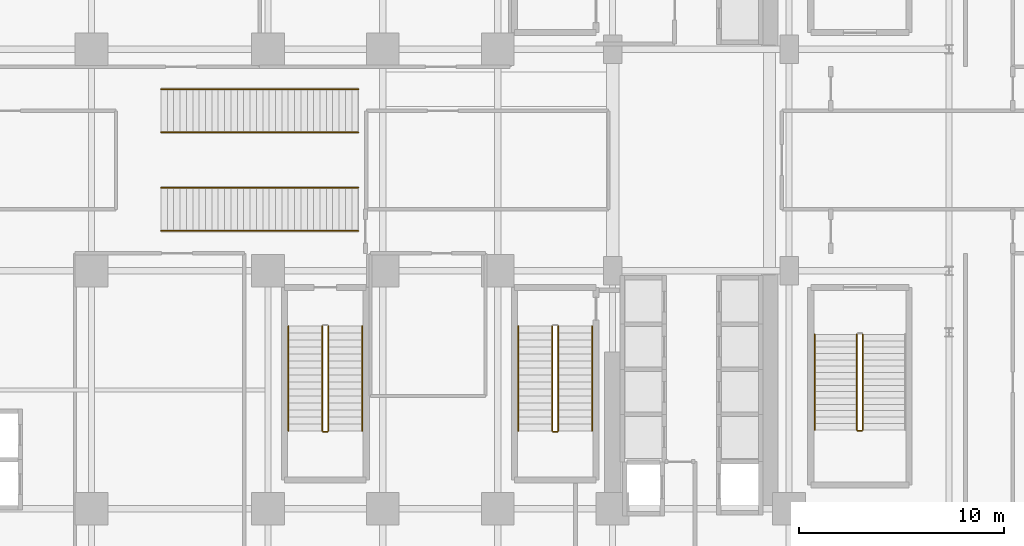
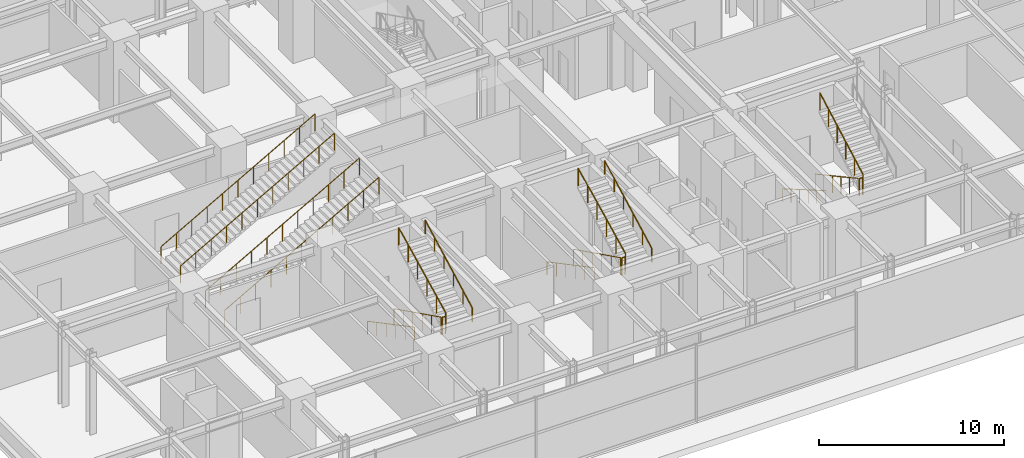
# One storey, part 27 of 29: 18 railings.
"""IFC4 building model written with IfcOpenShell, lengths in metres."""

import ifcopenshell
import ifcopenshell.guid

model = None  # the IFC model being written
_history = None  # IfcOwnerHistory: only IFC2X3 demands one
_inside = {}  # id of a spatial element -> (the spatial element, [elements in it])
_under = {}  # id of a project, library or spatial element -> (it, [spatial elements below it])
_declared = {}  # id of a project -> (the project, [libraries it declares])
_typed = {}  # id of a type object -> (the type object, [elements of that type])
_made_of = {}  # id of a material, layer set ... -> (it, [elements and type objects made of it])


def new_model(schema):
    """Start an empty IFC model of exactly this schema.

    Asked for "IFC4X3", IfcOpenShell would pick the latest addendum, in which some entities
    have other attributes; the version numbers below select the first issue.
    IFC2X3 requires an IfcOwnerHistory on every rooted entity: one is made here for all.
    """
    global model, _history
    if schema == "IFC4X3":
        model = ifcopenshell.file(schema_version=(4, 3, 0, 0))
    else:
        model = ifcopenshell.file(schema=schema)
    _inside.clear()
    _under.clear()
    _declared.clear()
    _typed.clear()
    _made_of.clear()
    _history = None
    if model.schema == "IFC2X3":
        org = make("IfcOrganization", Name="unknown")
        user = make(
            "IfcPersonAndOrganization",
            ThePerson=make("IfcPerson", FamilyName="unknown"),
            TheOrganization=org,
        )
        app = make(
            "IfcApplication",
            ApplicationDeveloper=org,
            Version="unknown",
            ApplicationFullName="unknown",
            ApplicationIdentifier="unknown",
        )
        _history = make(
            "IfcOwnerHistory",
            OwningUser=user,
            OwningApplication=app,
            ChangeAction="ADDED",
            CreationDate=0,
        )
    return model


def make(cls, **values):
    """One entity of the class cls with the attributes given. An attribute that is None is left unset."""
    return model.create_entity(
        cls, **{name: value for name, value in values.items() if value is not None}
    )


def rooted(cls, **values):
    """An entity with a GlobalId (a new one), such as an element, a storey or a relation."""
    return make(cls, GlobalId=ifcopenshell.guid.new(), OwnerHistory=_history, **values)


def si_unit(unit_type, name, prefix=None):
    """IfcSIUnit, for example si_unit("LENGTHUNIT", "METRE", prefix="MILLI")."""
    return make("IfcSIUnit", UnitType=unit_type, Prefix=prefix, Name=name)


def assignment(units):
    """IfcUnitAssignment: the units of a project."""
    return None if units is None else make("IfcUnitAssignment", Units=units)


def point(xyz):
    """IfcCartesianPoint."""
    return None if xyz is None else make("IfcCartesianPoint", Coordinates=xyz)


def direction(xyz):
    """IfcDirection."""
    return None if xyz is None else make("IfcDirection", DirectionRatios=xyz)


def frame(location, z_axis=None, x_axis=None):
    """IfcAxis2Placement3D, a coordinate frame: its origin and axes. An axis left out is left unset."""
    return make(
        "IfcAxis2Placement3D",
        Location=point(location),
        Axis=direction(z_axis),
        RefDirection=direction(x_axis),
    )


def frame_2d(location, x_axis=None):
    """IfcAxis2Placement2D, a coordinate frame in the plane: its origin and x axis."""
    return make(
        "IfcAxis2Placement2D", Location=point(location), RefDirection=direction(x_axis)
    )


def origin():
    """The frame at (0, 0, 0) with its axes left unset."""
    return frame((0.0, 0.0, 0.0))


def origin_2d():
    """The frame at (0, 0) in the plane with its x axis left unset."""
    return frame_2d((0.0, 0.0))


def place(relative_to, where):
    """IfcLocalPlacement: puts the frame where relative to a parent placement (None: the world)."""
    return make(
        "IfcLocalPlacement", PlacementRelTo=relative_to, RelativePlacement=where
    )


def context(
    kind, dimensions, precision=None, world=None, true_north=None, identifier=None
):
    """IfcGeometricRepresentationContext, for example the 3D "Model" context."""
    return make(
        "IfcGeometricRepresentationContext",
        ContextIdentifier=identifier,
        ContextType=kind,
        CoordinateSpaceDimension=dimensions,
        Precision=precision,
        WorldCoordinateSystem=world,
        TrueNorth=true_north,
    )


def subcontext(parent, identifier, kind, view, scale=None):
    """IfcGeometricRepresentationSubContext, for example "Body" below "Model"."""
    return make(
        "IfcGeometricRepresentationSubContext",
        ContextIdentifier=identifier,
        ContextType=kind,
        ParentContext=parent,
        TargetScale=scale,
        TargetView=view,
    )


def project(units=None, contexts=None):
    """IfcProject with its units and contexts."""
    return rooted(
        "IfcProject",
        Name="project",
        RepresentationContexts=contexts,
        UnitsInContext=assignment(units),
    )


def spatial(cls, under=None, at=None, **own):
    """A site, building, storey or space (cls), placed at a placement, below another one or the project."""
    s = rooted(cls, ObjectPlacement=at, **own)
    if under is not None:
        _under.setdefault(under.id(), (under, []))[1].append(s)
    return s


def profile(cls, at=None, kind="AREA", **sizes):
    """A parametric profile (cls). Its sizes go by their IFC names, for example OverallWidth=200.0."""
    return make(cls, ProfileType=kind, Position=at, **sizes)


def circle(**sizes):
    """IfcCircleProfileDef."""
    return profile("IfcCircleProfileDef", **sizes)


def extrude(swept, where, along, depth):
    """IfcExtrudedAreaSolid: the profile swept, set in the frame where, extruded along a direction by depth."""
    return make(
        "IfcExtrudedAreaSolid",
        SweptArea=swept,
        Position=where,
        ExtrudedDirection=direction(along),
        Depth=depth,
    )


def shape(context_of_items, identifier, shape_type, items):
    """IfcShapeRepresentation: the items that make up one representation, for example the "Body"."""
    return make(
        "IfcShapeRepresentation",
        ContextOfItems=context_of_items,
        RepresentationIdentifier=identifier,
        RepresentationType=shape_type,
        Items=items,
    )


def material(Name=None, Category=None):
    """IfcMaterial."""
    return make("IfcMaterial", Name=Name, Category=Category)


def made_of(thing, what):
    """Note that an element or type object is made of a material, layer set ...; save() writes the relation."""
    if what is not None:
        _made_of.setdefault(what.id(), (what, []))[1].append(thing)
    return thing


def type_object(cls, material=None, **own):
    """A type object (cls), such as IfcWallType, which elements share."""
    return made_of(rooted(cls, **own), material)


def element(
    cls,
    number,
    at=None,
    inside=None,
    cuts=None,
    type_object=None,
    material=None,
    context=None,
    identifier="Body",
    shape_type=None,
    held_by="IfcProductDefinitionShape",
    body=None,
    shapes=None,
    **own,
):
    """One element of the class cls, such as IfcWall. Its Tag is "e" and its number.

    at: its placement. inside: the storey or other place that contains it. cuts: it is an
    opening in that element (IfcRelVoidsElement). A single representation is given by context,
    identifier, shape_type and body (its items); several are given by shapes. held_by: the class
    of the entity that holds the representations. save() writes the other relations.
    """
    e = rooted(cls, Tag="e%d" % number, ObjectPlacement=at, **own)
    if body is not None:
        shapes = [shape(context, identifier, shape_type, body)]
    if shapes is not None:
        e.Representation = make(held_by, Representations=shapes)
    if inside is not None:
        _inside.setdefault(inside.id(), (inside, []))[1].append(e)
    if cuts is not None:
        rooted(
            "IfcRelVoidsElement", RelatingBuildingElement=cuts, RelatedOpeningElement=e
        )
    if type_object is not None:
        _typed.setdefault(type_object.id(), (type_object, []))[1].append(e)
    return made_of(e, material)


def aggregate(whole, parts):
    """IfcRelAggregates: a whole, such as a stair, and the parts it consists of."""
    return rooted("IfcRelAggregates", RelatingObject=whole, RelatedObjects=parts)


def save(model, path):
    """Write the relations noted so far, then the file.

    IfcRelAggregates (storeys below a building ...), IfcRelContainedInSpatialStructure (elements
    in a storey), IfcRelDefinesByType, IfcRelAssociatesMaterial and IfcRelDeclares: one each for
    every whole, place, type object, material and project.
    """
    for whole, parts in _under.values():
        aggregate(whole, parts)
    for where, things in _inside.values():
        rooted(
            "IfcRelContainedInSpatialStructure",
            RelatedElements=things,
            RelatingStructure=where,
        )
    for kind, things in _typed.values():
        rooted("IfcRelDefinesByType", RelatedObjects=things, RelatingType=kind)
    for what, things in _made_of.values():
        rooted("IfcRelAssociatesMaterial", RelatedObjects=things, RelatingMaterial=what)
    for by, libraries in _declared.values():
        rooted("IfcRelDeclares", RelatingContext=by, RelatedDefinitions=libraries)
    model.write(path)


model = new_model("IFC4")

# Units and contexts
model_context = context("Model", 3, precision=1e-05, world=origin(), true_north=direction((0.0, 1.0)))
body_context = subcontext(model_context, "Body", "Model", "MODEL_VIEW")
ifc_project = project(units=[si_unit("LENGTHUNIT", "METRE"), si_unit("AREAUNIT", "SQUARE_METRE"), si_unit("VOLUMEUNIT", "CUBIC_METRE"), si_unit("PLANEANGLEUNIT", "RADIAN"), si_unit("MASSUNIT", "GRAM", prefix="KILO")], contexts=[model_context])

# Site, building, storey
site_placement = place(None, origin())
site = spatial("IfcSite", under=ifc_project, at=site_placement, CompositionType="ELEMENT")
building_placement = place(site_placement, origin())
building = spatial("IfcBuilding", under=site, at=building_placement, Name="Nahalor Promenade Grand Hotel", CompositionType="ELEMENT")
storey_placement = place(building_placement, origin())
storey = spatial("IfcBuildingStorey", under=building, at=storey_placement, Name="L00", CompositionType="ELEMENT", Elevation=0.0)

# Railings
ifc_material = material(Name="Steel S355JR", Category="steel")
railing_type_1 = type_object("IfcRailingType", Name="Steel Stair Guardrail 1150 mm", PredefinedType="GUARDRAIL", material=ifc_material)
railing_1_placement = place(storey_placement, frame((5.449951171875, -8.10009765625, 0.168701171875)))
element("IfcRailing", 1, at=railing_1_placement, inside=storey, type_object=railing_type_1, Name="L00 ST2 stair guard 1", PredefinedType="GUARDRAIL", context=body_context, shape_type="SweptSolid", body=[
    extrude(circle(Radius=0.024048, at=origin_2d()), frame((0.0, 0.0, 1.1259765625), z_axis=(0.0, -0.895735491292, 0.444587370086), x_axis=(1.0, 0.0, 0.0)), (0.0, 0.0, 1.0), 5.693603515625),
    extrude(circle(Radius=0.020996, at=origin_2d()), origin(), (0.0, 0.0, 1.0), 1.099853515625),
    extrude(circle(Radius=0.020996, at=origin_2d()), frame((0.0, -1.02001953125, 0.50634765625)), (0.0, 0.0, 1.0), 1.099853515625),
    extrude(circle(Radius=0.020996, at=origin_2d()), frame((0.0, -2.0400390625, 1.012451171875)), (0.0, 0.0, 1.0), 1.099853515625),
    extrude(circle(Radius=0.020996, at=origin_2d()), frame((0.0, -3.059814453125, 1.518798828125)), (0.0, 0.0, 1.0), 1.099853515625),
    extrude(circle(Radius=0.020996, at=origin_2d()), frame((0.0, -4.079833984375, 2.02490234375)), (0.0, 0.0, 1.0), 1.099853515625),
    extrude(circle(Radius=0.020996, at=origin_2d()), frame((0.0, -5.099853515625, 2.53125)), (0.0, 0.0, 1.0), 1.099853515625),
])
railing_2_placement = place(storey_placement, frame((5.5, -13.25, 2.699951171875)))
element("IfcRailing", 2, at=railing_2_placement, inside=storey, type_object=railing_type_1, Name="L00 ST2 stair guard 2", PredefinedType="GUARDRAIL", context=body_context, shape_type="SweptSolid", body=[
    extrude(circle(Radius=0.024048, at=origin_2d()), frame((0.0, 0.0, 1.1259765625), z_axis=(1.0, 0.0, 0.0), x_axis=(0.0, 1.0, 0.0)), (0.0, 0.0, 1.0), 0.199951171875),
    extrude(circle(Radius=0.020996, at=origin_2d()), origin(), (0.0, 0.0, 1.0), 1.099853515625),
    extrude(circle(Radius=0.020996, at=origin_2d()), frame((0.199951171875, 0.0, 0.0)), (0.0, 0.0, 1.0), 1.099853515625),
])
railing_3_placement = place(storey_placement, frame((5.75, -13.199951171875, 2.86865234375)))
element("IfcRailing", 3, at=railing_3_placement, inside=storey, type_object=railing_type_1, Name="L00 ST2 stair guard 3", PredefinedType="GUARDRAIL", context=body_context, shape_type="SweptSolid", body=[
    extrude(circle(Radius=0.024048, at=origin_2d()), frame((0.0, 0.0, 1.1259765625), z_axis=(0.0, 0.895735491292, 0.444587370086), x_axis=(-1.0, 0.0, 0.0)), (0.0, 0.0, 1.0), 5.693603515625),
    extrude(circle(Radius=0.020996, at=origin_2d()), origin(), (0.0, 0.0, 1.0), 1.099853515625),
    extrude(circle(Radius=0.020996, at=origin_2d()), frame((0.0, 1.02001953125, 0.50634765625)), (0.0, 0.0, 1.0), 1.099853515625),
    extrude(circle(Radius=0.020996, at=origin_2d()), frame((0.0, 2.0400390625, 1.012451171875)), (0.0, 0.0, 1.0), 1.099853515625),
    extrude(circle(Radius=0.020996, at=origin_2d()), frame((0.0, 3.059814453125, 1.518798828125)), (0.0, 0.0, 1.0), 1.099853515625),
    extrude(circle(Radius=0.020996, at=origin_2d()), frame((0.0, 4.079833984375, 2.02490234375)), (0.0, 0.0, 1.0), 1.099853515625),
    extrude(circle(Radius=0.020996, at=origin_2d()), frame((0.0, 5.099853515625, 2.53125)), (0.0, 0.0, 1.0), 1.099853515625),
])
railing_4_placement = place(storey_placement, frame((-5.75, -8.10009765625, 0.168701171875)))
element("IfcRailing", 4, at=railing_4_placement, inside=storey, type_object=railing_type_1, Name="L00 ST3 stair guard 1", PredefinedType="GUARDRAIL", context=body_context, shape_type="SweptSolid", body=[
    extrude(circle(Radius=0.024048, at=origin_2d()), frame((0.0, 0.0, 1.1259765625), z_axis=(0.0, -0.895735491292, 0.444587370086), x_axis=(1.0, 0.0, 0.0)), (0.0, 0.0, 1.0), 5.693603515625),
    extrude(circle(Radius=0.020996, at=origin_2d()), origin(), (0.0, 0.0, 1.0), 1.099853515625),
    extrude(circle(Radius=0.020996, at=origin_2d()), frame((0.0, -1.02001953125, 0.50634765625)), (0.0, 0.0, 1.0), 1.099853515625),
    extrude(circle(Radius=0.020996, at=origin_2d()), frame((0.0, -2.0400390625, 1.012451171875)), (0.0, 0.0, 1.0), 1.099853515625),
    extrude(circle(Radius=0.020996, at=origin_2d()), frame((0.0, -3.059814453125, 1.518798828125)), (0.0, 0.0, 1.0), 1.099853515625),
    extrude(circle(Radius=0.020996, at=origin_2d()), frame((0.0, -4.079833984375, 2.02490234375)), (0.0, 0.0, 1.0), 1.099853515625),
    extrude(circle(Radius=0.020996, at=origin_2d()), frame((0.0, -5.099853515625, 2.53125)), (0.0, 0.0, 1.0), 1.099853515625),
])
railing_5_placement = place(storey_placement, frame((-5.699951171875, -13.25, 2.699951171875)))
element("IfcRailing", 5, at=railing_5_placement, inside=storey, type_object=railing_type_1, Name="L00 ST3 stair guard 2", PredefinedType="GUARDRAIL", context=body_context, shape_type="SweptSolid", body=[
    extrude(circle(Radius=0.024048, at=origin_2d()), frame((0.0, 0.0, 1.1259765625), z_axis=(1.0, 0.0, 0.0), x_axis=(0.0, 1.0, 0.0)), (0.0, 0.0, 1.0), 0.199951171875),
    extrude(circle(Radius=0.020996, at=origin_2d()), origin(), (0.0, 0.0, 1.0), 1.099853515625),
    extrude(circle(Radius=0.020996, at=origin_2d()), frame((0.199951171875, 0.0, 0.0)), (0.0, 0.0, 1.0), 1.099853515625),
])
railing_6_placement = place(storey_placement, frame((-5.449951171875, -13.199951171875, 2.86865234375)))
element("IfcRailing", 6, at=railing_6_placement, inside=storey, type_object=railing_type_1, Name="L00 ST3 stair guard 3", PredefinedType="GUARDRAIL", context=body_context, shape_type="SweptSolid", body=[
    extrude(circle(Radius=0.024048, at=origin_2d()), frame((0.0, 0.0, 1.1259765625), z_axis=(0.0, 0.895735491292, 0.444587370086), x_axis=(-1.0, 0.0, 0.0)), (0.0, 0.0, 1.0), 5.693603515625),
    extrude(circle(Radius=0.020996, at=origin_2d()), origin(), (0.0, 0.0, 1.0), 1.099853515625),
    extrude(circle(Radius=0.020996, at=origin_2d()), frame((0.0, 1.02001953125, 0.50634765625)), (0.0, 0.0, 1.0), 1.099853515625),
    extrude(circle(Radius=0.020996, at=origin_2d()), frame((0.0, 2.0400390625, 1.012451171875)), (0.0, 0.0, 1.0), 1.099853515625),
    extrude(circle(Radius=0.020996, at=origin_2d()), frame((0.0, 3.059814453125, 1.518798828125)), (0.0, 0.0, 1.0), 1.099853515625),
    extrude(circle(Radius=0.020996, at=origin_2d()), frame((0.0, 4.079833984375, 2.02490234375)), (0.0, 0.0, 1.0), 1.099853515625),
    extrude(circle(Radius=0.020996, at=origin_2d()), frame((0.0, 5.099853515625, 2.53125)), (0.0, 0.0, 1.0), 1.099853515625),
])
railing_7_placement = place(storey_placement, frame((20.300048828125, -8.5, 0.168701171875)))
element("IfcRailing", 7, at=railing_7_placement, inside=storey, type_object=railing_type_1, Name="L00 ST5 stair guard 1", PredefinedType="GUARDRAIL", context=body_context, shape_type="SweptSolid", body=[
    extrude(circle(Radius=0.024048, at=origin_2d()), frame((0.0, 0.0, 1.1259765625), z_axis=(0.0, -0.878297076953, 0.478115304728), x_axis=(1.0, 0.0, 0.0)), (0.0, 0.0, 1.0), 5.294189453125),
    extrude(circle(Radius=0.020996, at=origin_2d()), origin(), (0.0, 0.0, 1.0), 1.099853515625),
    extrude(circle(Radius=0.020996, at=origin_2d()), frame((0.0, -0.929931640625, 0.50634765625)), (0.0, 0.0, 1.0), 1.099853515625),
    extrude(circle(Radius=0.020996, at=origin_2d()), frame((0.0, -1.85986328125, 1.012451171875)), (0.0, 0.0, 1.0), 1.099853515625),
    extrude(circle(Radius=0.020996, at=origin_2d()), frame((0.0, -2.7900390625, 1.518798828125)), (0.0, 0.0, 1.0), 1.099853515625),
    extrude(circle(Radius=0.020996, at=origin_2d()), frame((0.0, -3.719970703125, 2.02490234375)), (0.0, 0.0, 1.0), 1.099853515625),
    extrude(circle(Radius=0.020996, at=origin_2d()), frame((0.0, -4.64990234375, 2.53125)), (0.0, 0.0, 1.0), 1.099853515625),
])
railing_8_placement = place(storey_placement, frame((20.35009765625, -13.199951171875, 2.699951171875)))
element("IfcRailing", 8, at=railing_8_placement, inside=storey, type_object=railing_type_1, Name="L00 ST5 stair guard 2", PredefinedType="GUARDRAIL", context=body_context, shape_type="SweptSolid", body=[
    extrude(circle(Radius=0.024048, at=origin_2d()), frame((0.0, 0.0, 1.1259765625), z_axis=(1.0, 0.0, 0.0), x_axis=(0.0, 1.0, 0.0)), (0.0, 0.0, 1.0), 0.199951171875),
    extrude(circle(Radius=0.020996, at=origin_2d()), origin(), (0.0, 0.0, 1.0), 1.099853515625),
    extrude(circle(Radius=0.020996, at=origin_2d()), frame((0.199951171875, 0.0, 0.0)), (0.0, 0.0, 1.0), 1.099853515625),
])
railing_9_placement = place(storey_placement, frame((20.60009765625, -13.14990234375, 2.86865234375)))
element("IfcRailing", 9, at=railing_9_placement, inside=storey, type_object=railing_type_1, Name="L00 ST5 stair guard 3", PredefinedType="GUARDRAIL", context=body_context, shape_type="SweptSolid", body=[
    extrude(circle(Radius=0.024048, at=origin_2d()), frame((0.0, 0.0, 1.1259765625), z_axis=(0.0, 0.878297076953, 0.478115304728), x_axis=(-1.0, 0.0, 0.0)), (0.0, 0.0, 1.0), 5.294189453125),
    extrude(circle(Radius=0.020996, at=origin_2d()), origin(), (0.0, 0.0, 1.0), 1.099853515625),
    extrude(circle(Radius=0.020996, at=origin_2d()), frame((0.0, 0.929931640625, 0.50634765625)), (0.0, 0.0, 1.0), 1.099853515625),
    extrude(circle(Radius=0.020996, at=origin_2d()), frame((0.0, 1.85986328125, 1.012451171875)), (0.0, 0.0, 1.0), 1.099853515625),
    extrude(circle(Radius=0.020996, at=origin_2d()), frame((0.0, 2.7900390625, 1.518798828125)), (0.0, 0.0, 1.0), 1.099853515625),
    extrude(circle(Radius=0.020996, at=origin_2d()), frame((0.0, 3.719970703125, 2.02490234375)), (0.0, 0.0, 1.0), 1.099853515625),
    extrude(circle(Radius=0.020996, at=origin_2d()), frame((0.0, 4.64990234375, 2.53125)), (0.0, 0.0, 1.0), 1.099853515625),
])
for number, where, name in (
    (10, (-13.610107421875, -3.449951171875, 0.0), "RL-STM1-R"),
    (11, (-13.610107421875, -1.35009765625, 0.0), "RL-STM1-L"),
    (12, (-13.610107421875, 1.35009765625, 0.0), "RL-STM2-R"),
    (13, (-13.610107421875, 3.449951171875, 0.0), "RL-STM2-L"),
):
    element("IfcRailing", number, at=place(storey_placement, frame(where)), inside=storey, type_object=railing_type_1, Name=name, PredefinedType="GUARDRAIL", context=body_context, shape_type="SweptSolid", body=[
        extrude(circle(Radius=0.024048, at=origin_2d()), frame((0.0, 0.0, 1.1259765625), z_axis=(0.871799617462, 0.0, 0.489862661358), x_axis=(0.0, 1.0, 0.0)), (0.0, 0.0, 1.0), 11.023193359375),
        extrude(circle(Radius=0.020996, at=origin_2d()), origin(), (0.0, 0.0, 1.0), 1.099853515625),
        extrude(circle(Radius=0.020996, at=origin_2d()), frame((0.9609375, 0.0, 0.5400390625)), (0.0, 0.0, 1.0), 1.099853515625),
        extrude(circle(Radius=0.020996, at=origin_2d()), frame((1.922119140625, 0.0, 1.080078125)), (0.0, 0.0, 1.0), 1.099853515625),
        extrude(circle(Radius=0.020996, at=origin_2d()), frame((2.883056640625, 0.0, 1.619873046875)), (0.0, 0.0, 1.0), 1.099853515625),
        extrude(circle(Radius=0.020996, at=origin_2d()), frame((3.843994140625, 0.0, 2.159912109375)), (0.0, 0.0, 1.0), 1.099853515625),
        extrude(circle(Radius=0.020996, at=origin_2d()), frame((4.80517578125, 0.0, 2.699951171875)), (0.0, 0.0, 1.0), 1.099853515625),
        extrude(circle(Radius=0.020996, at=origin_2d()), frame((5.76611328125, 0.0, 3.239990234375)), (0.0, 0.0, 1.0), 1.099853515625),
        extrude(circle(Radius=0.020996, at=origin_2d()), frame((6.72705078125, 0.0, 3.780029296875)), (0.0, 0.0, 1.0), 1.099853515625),
        extrude(circle(Radius=0.020996, at=origin_2d()), frame((7.68798828125, 0.0, 4.31982421875)), (0.0, 0.0, 1.0), 1.099853515625),
        extrude(circle(Radius=0.020996, at=origin_2d()), frame((8.649169921875, 0.0, 4.85986328125)), (0.0, 0.0, 1.0), 1.099853515625),
        extrude(circle(Radius=0.020996, at=origin_2d()), frame((9.610107421875, 0.0, 5.39990234375)), (0.0, 0.0, 1.0), 1.099853515625),
    ])
railing_type_2 = type_object("IfcRailingType", Name="Steel Stair Handrail 900 mm", PredefinedType="HANDRAIL", material=ifc_material)
railing_10_placement = place(storey_placement, frame((3.800048828125, -8.10009765625, 0.168701171875)))
element("IfcRailing", 14, at=railing_10_placement, inside=storey, type_object=railing_type_2, Name="L00 ST2 stair handrail 1", PredefinedType="HANDRAIL", context=body_context, shape_type="SweptSolid", body=[
    extrude(circle(Radius=0.024048, at=origin_2d()), frame((0.0, 0.0, 0.8759765625), z_axis=(0.0, -0.883785858079, 0.467891608238), x_axis=(1.0, 0.0, 0.0)), (0.0, 0.0, 1.0), 5.7705078125),
    extrude(circle(Radius=0.020996, at=origin_2d()), origin(), (0.0, 0.0, 1.0), 0.849853515625),
    extrude(circle(Radius=0.020996, at=origin_2d()), frame((0.0, -1.02001953125, 0.5400390625)), (0.0, 0.0, 1.0), 0.849853515625),
    extrude(circle(Radius=0.020996, at=origin_2d()), frame((0.0, -2.0400390625, 1.080078125)), (0.0, 0.0, 1.0), 0.849853515625),
    extrude(circle(Radius=0.020996, at=origin_2d()), frame((0.0, -3.059814453125, 1.619873046875)), (0.0, 0.0, 1.0), 0.849853515625),
    extrude(circle(Radius=0.020996, at=origin_2d()), frame((0.0, -4.079833984375, 2.159912109375)), (0.0, 0.0, 1.0), 0.849853515625),
    extrude(circle(Radius=0.020996, at=origin_2d()), frame((0.0, -5.099853515625, 2.699951171875)), (0.0, 0.0, 1.0), 0.849853515625),
])
railing_11_placement = place(storey_placement, frame((7.39990234375, -13.199951171875, 2.86865234375)))
element("IfcRailing", 15, at=railing_11_placement, inside=storey, type_object=railing_type_2, Name="L00 ST2 stair handrail 2", PredefinedType="HANDRAIL", context=body_context, shape_type="SweptSolid", body=[
    extrude(circle(Radius=0.024048, at=origin_2d()), frame((0.0, 0.0, 0.8759765625), z_axis=(0.0, 0.883768362495, 0.467924653607), x_axis=(-1.0, 0.0, 0.0)), (0.0, 0.0, 1.0), 5.7705078125),
    extrude(circle(Radius=0.020996, at=origin_2d()), origin(), (0.0, 0.0, 1.0), 0.849853515625),
    extrude(circle(Radius=0.020996, at=origin_2d()), frame((0.0, 1.02001953125, 0.5400390625)), (0.0, 0.0, 1.0), 0.849853515625),
    extrude(circle(Radius=0.020996, at=origin_2d()), frame((0.0, 2.0400390625, 1.080078125)), (0.0, 0.0, 1.0), 0.849853515625),
    extrude(circle(Radius=0.020996, at=origin_2d()), frame((0.0, 3.059814453125, 1.6201171875)), (0.0, 0.0, 1.0), 0.849853515625),
    extrude(circle(Radius=0.020996, at=origin_2d()), frame((0.0, 4.079833984375, 2.16015625)), (0.0, 0.0, 1.0), 0.849853515625),
    extrude(circle(Radius=0.020996, at=origin_2d()), frame((0.0, 5.099853515625, 2.7001953125)), (0.0, 0.0, 1.0), 0.849853515625),
])
railing_12_placement = place(storey_placement, frame((-7.39990234375, -8.10009765625, 0.168701171875)))
element("IfcRailing", 16, at=railing_12_placement, inside=storey, type_object=railing_type_2, Name="L00 ST3 stair handrail 1", PredefinedType="HANDRAIL", context=body_context, shape_type="SweptSolid", body=[
    extrude(circle(Radius=0.024048, at=origin_2d()), frame((0.0, 0.0, 0.8759765625), z_axis=(0.0, -0.883785858079, 0.467891608238), x_axis=(1.0, 0.0, 0.0)), (0.0, 0.0, 1.0), 5.7705078125),
    extrude(circle(Radius=0.020996, at=origin_2d()), origin(), (0.0, 0.0, 1.0), 0.849853515625),
    extrude(circle(Radius=0.020996, at=origin_2d()), frame((0.0, -1.02001953125, 0.5400390625)), (0.0, 0.0, 1.0), 0.849853515625),
    extrude(circle(Radius=0.020996, at=origin_2d()), frame((0.0, -2.0400390625, 1.080078125)), (0.0, 0.0, 1.0), 0.849853515625),
    extrude(circle(Radius=0.020996, at=origin_2d()), frame((0.0, -3.059814453125, 1.619873046875)), (0.0, 0.0, 1.0), 0.849853515625),
    extrude(circle(Radius=0.020996, at=origin_2d()), frame((0.0, -4.079833984375, 2.159912109375)), (0.0, 0.0, 1.0), 0.849853515625),
    extrude(circle(Radius=0.020996, at=origin_2d()), frame((0.0, -5.099853515625, 2.699951171875)), (0.0, 0.0, 1.0), 0.849853515625),
])
railing_13_placement = place(storey_placement, frame((-3.800048828125, -13.199951171875, 2.86865234375)))
element("IfcRailing", 17, at=railing_13_placement, inside=storey, type_object=railing_type_2, Name="L00 ST3 stair handrail 2", PredefinedType="HANDRAIL", context=body_context, shape_type="SweptSolid", body=[
    extrude(circle(Radius=0.024048, at=origin_2d()), frame((0.0, 0.0, 0.8759765625), z_axis=(0.0, 0.883768362495, 0.467924653607), x_axis=(-1.0, 0.0, 0.0)), (0.0, 0.0, 1.0), 5.7705078125),
    extrude(circle(Radius=0.020996, at=origin_2d()), origin(), (0.0, 0.0, 1.0), 0.849853515625),
    extrude(circle(Radius=0.020996, at=origin_2d()), frame((0.0, 1.02001953125, 0.5400390625)), (0.0, 0.0, 1.0), 0.849853515625),
    extrude(circle(Radius=0.020996, at=origin_2d()), frame((0.0, 2.0400390625, 1.080078125)), (0.0, 0.0, 1.0), 0.849853515625),
    extrude(circle(Radius=0.020996, at=origin_2d()), frame((0.0, 3.059814453125, 1.6201171875)), (0.0, 0.0, 1.0), 0.849853515625),
    extrude(circle(Radius=0.020996, at=origin_2d()), frame((0.0, 4.079833984375, 2.16015625)), (0.0, 0.0, 1.0), 0.849853515625),
    extrude(circle(Radius=0.020996, at=origin_2d()), frame((0.0, 5.099853515625, 2.7001953125)), (0.0, 0.0, 1.0), 0.849853515625),
])
railing_14_placement = place(storey_placement, frame((18.25, -8.5, 0.168701171875)))
element("IfcRailing", 18, at=railing_14_placement, inside=storey, type_object=railing_type_2, Name="L00 ST5 stair handrail 1", PredefinedType="HANDRAIL", context=body_context, shape_type="SweptSolid", body=[
    extrude(circle(Radius=0.024048, at=origin_2d()), frame((0.0, 0.0, 0.8759765625), z_axis=(0.0, -0.864788310583, 0.502136612766), x_axis=(1.0, 0.0, 0.0)), (0.0, 0.0, 1.0), 5.376953125),
    extrude(circle(Radius=0.020996, at=origin_2d()), origin(), (0.0, 0.0, 1.0), 0.849853515625),
    extrude(circle(Radius=0.020996, at=origin_2d()), frame((0.0, -0.929931640625, 0.5400390625)), (0.0, 0.0, 1.0), 0.849853515625),
    extrude(circle(Radius=0.020996, at=origin_2d()), frame((0.0, -1.85986328125, 1.080078125)), (0.0, 0.0, 1.0), 0.849853515625),
    extrude(circle(Radius=0.020996, at=origin_2d()), frame((0.0, -2.7900390625, 1.619873046875)), (0.0, 0.0, 1.0), 0.849853515625),
    extrude(circle(Radius=0.020996, at=origin_2d()), frame((0.0, -3.719970703125, 2.159912109375)), (0.0, 0.0, 1.0), 0.849853515625),
    extrude(circle(Radius=0.020996, at=origin_2d()), frame((0.0, -4.64990234375, 2.699951171875)), (0.0, 0.0, 1.0), 0.849853515625),
])

save(model, "model.ifc")
